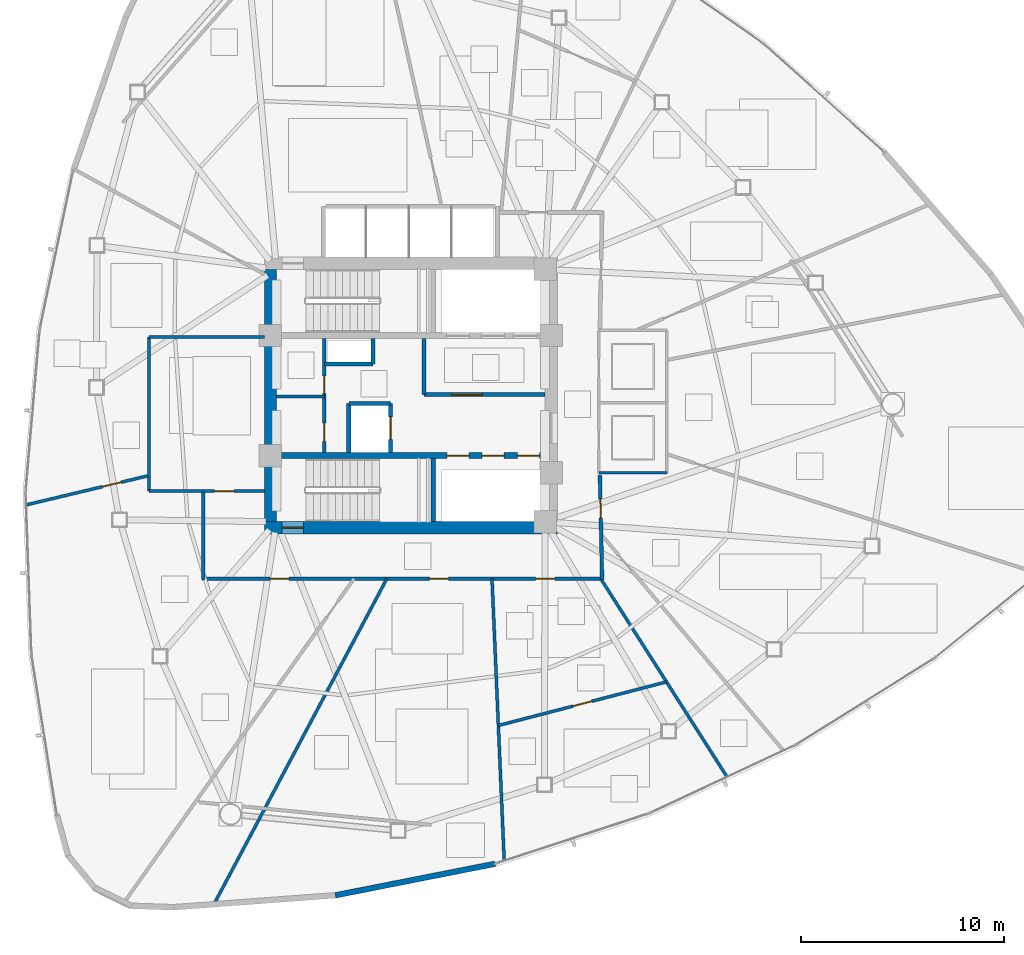
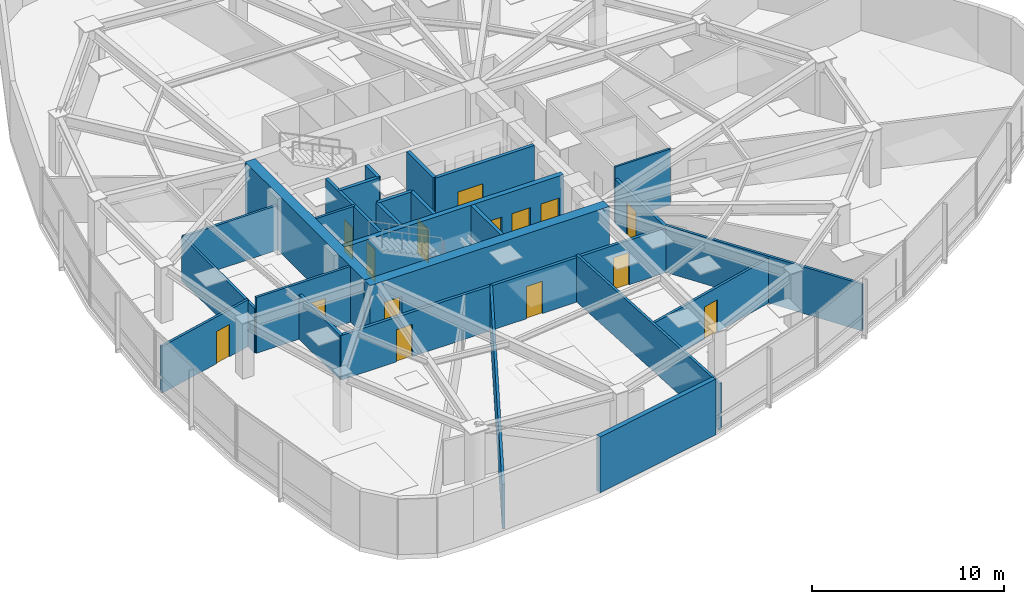
# One storey, part 11 of 17: 26 walls, 15 doors, 15 openings.
"""IFC4 building model written with IfcOpenShell, lengths in metres."""

from ifc_helpers import new_model, si_unit, direction, frame, frame_2d, origin, place, context, subcontext, project, spatial, rectangle, extrude, material, layer, layer_set, type_object, element, fill, save


model = new_model("IFC4")

# Units and contexts
model_context = context("Model", 3, precision=1e-05, world=origin(), true_north=direction((0.0, 1.0)))
body_context = subcontext(model_context, "Body", "Model", "MODEL_VIEW")
ifc_project = project(units=[si_unit("LENGTHUNIT", "METRE"), si_unit("AREAUNIT", "SQUARE_METRE"), si_unit("VOLUMEUNIT", "CUBIC_METRE"), si_unit("PLANEANGLEUNIT", "RADIAN"), si_unit("MASSUNIT", "GRAM", prefix="KILO")], contexts=[model_context])

# Site, building, storey
site_placement = place(None, origin())
site = spatial("IfcSite", under=ifc_project, at=site_placement, CompositionType="ELEMENT")
building_placement = place(site_placement, origin())
building = spatial("IfcBuilding", under=site, at=building_placement, Name="Tavelor Broadcast Tower", CompositionType="ELEMENT")
storey_placement = place(building_placement, frame((0.0, 0.0, 123.300048828125)))
storey = spatial("IfcBuildingStorey", under=building, at=storey_placement, Name="L28", CompositionType="ELEMENT", Elevation=123.300048828125)

# Wall, opening, door
ifc_material_1 = material(Name="Concrete C60/75", Category="concrete")
ifc_layer_1 = layer(ifc_material_1, 0.60009765625)
ifc_layer_set_1 = layer_set([ifc_layer_1], Name="Concrete C60/75")
wall_type_1 = type_object("IfcWallType", Name="Core Shear Wall 600 mm", PredefinedType="SHEAR", material=ifc_layer_set_1)
wall_1_placement = place(storey_placement, frame((42.800048828125, 38.5, 0.0), z_axis=(0.0, 0.0, 1.0), x_axis=(1.0, 0.0, 0.0)))
wall_1 = element("IfcWall", 1, at=wall_1_placement, inside=storey, type_object=wall_type_1, Name="L28 Central Core Shear Wall S", PredefinedType="SHEAR", context=body_context, shape_type="SweptSolid", body=[
    extrude(rectangle(XDim=14.39990234375, YDim=0.60009765625, at=frame_2d((7.199951171875, 0.0))), origin(), (0.0, 0.0, 1.0), 3.550048828125),
])
opening_1_placement = place(wall_1_placement, frame((0.8798828125, 0.0, 0.0)))
opening_1 = element("IfcOpeningElement", 2, at=opening_1_placement, cuts=wall_1, Name="Opening DR11", PredefinedType="OPENING", context=body_context, shape_type="SweptSolid", body=[
    extrude(rectangle(XDim=1.050048828125, YDim=2.199951171875, at=frame_2d((0.52490234375, 1.10009765625))), frame((0.0, 0.31005859375, 0.0), z_axis=(0.0, -1.0, 0.0), x_axis=(1.0, 0.0, 0.0)), (0.0, 0.0, 1.0), 0.6201171875),
])
ifc_material_2 = material(Name="Steel S355", Category="steel")
door_type_1 = type_object("IfcDoorType", Name="Stair Core Fire Escape Door 1050x2200", OperationType="NOTDEFINED", PredefinedType="DOOR", material=ifc_material_2)
door_1_placement = place(opening_1_placement, origin())
door_1 = element("IfcDoor", 3, at=door_1_placement, inside=storey, type_object=door_type_1, Name="L28 Stair ST2 Protected Exit Door", OperationType="SINGLE_SWING_RIGHT", OverallHeight=2.199951171875, OverallWidth=1.050048828125, PredefinedType="DOOR", context=body_context, shape_type="SweptSolid", body=[
    extrude(rectangle(XDim=1.050048828125, YDim=2.199951171875, at=frame_2d((0.52490234375, 1.10009765625))), frame((0.0, 0.02490234375, 0.0), z_axis=(0.0, -1.0, 0.0), x_axis=(1.0, 0.0, 0.0)), (0.0, 0.0, 1.0), 0.050048828125),
])
fill(opening_1, door_1)

# Wall
wall_2_placement = place(storey_placement, frame((43.10009765625, 38.800048828125, 0.0), z_axis=(0.0, 0.0, 1.0), x_axis=(0.0, 1.0, 0.0)))
element("IfcWall", 4, at=wall_2_placement, inside=storey, type_object=wall_type_1, Name="L28 Central Core Shear Wall W", PredefinedType="SHEAR", context=body_context, shape_type="SweptSolid", body=[
    extrude(rectangle(XDim=12.39990234375, YDim=0.60009765625, at=frame_2d((6.199951171875, 0.0))), origin(), (0.0, 0.0, 1.0), 3.550048828125),
])

# Wall, openings, doors
ifc_layer_2 = layer(ifc_material_1, 0.300048828125)
ifc_layer_set_2 = layer_set([ifc_layer_2], Name="Concrete C60/75")
wall_type_2 = type_object("IfcWallType", Name="Core Spine Shear Wall 300 mm C60", PredefinedType="SHEAR", material=ifc_layer_set_2)
wall_3_placement = place(storey_placement, frame((43.39990234375, 42.050048828125, 0.0), z_axis=(0.0, 0.0, 1.0), x_axis=(1.0, 0.0, 0.0)))
wall_3 = element("IfcWall", 5, at=wall_3_placement, inside=storey, type_object=wall_type_2, Name="L28 Central Core Shear Wall SP2", PredefinedType="SHEAR", context=body_context, shape_type="SweptSolid", body=[
    extrude(rectangle(XDim=13.2001953125, YDim=0.300048828125, at=frame_2d((6.60009765625, 0.0))), origin(), (0.0, 0.0, 1.0), 3.550048828125),
])
opening_2_placement = place(wall_3_placement, frame((8.3701171875, 0.0, 0.0)))
opening_2 = element("IfcOpeningElement", 6, at=opening_2_placement, cuts=wall_3, Name="Opening LD01", PredefinedType="OPENING", context=body_context, shape_type="SweptSolid", body=[
    extrude(rectangle(XDim=1.10009765625, YDim=2.14990234375, at=frame_2d((0.550048828125, 1.074951171875))), frame((0.0, 0.16015625, 0.0), z_axis=(0.0, -1.0, 0.0), x_axis=(1.0, 0.0, 0.0)), (0.0, 0.0, 1.0), 0.320068359375),
])
opening_3_placement = place(wall_3_placement, frame((10.090087890625, 0.0, 0.0)))
opening_3 = element("IfcOpeningElement", 7, at=opening_3_placement, cuts=wall_3, Name="Opening LD01", PredefinedType="OPENING", context=body_context, shape_type="SweptSolid", body=[
    extrude(rectangle(XDim=1.10009765625, YDim=2.14990234375, at=frame_2d((0.550048828125, 1.074951171875))), frame((0.0, 0.16015625, 0.0), z_axis=(0.0, -1.0, 0.0), x_axis=(1.0, 0.0, 0.0)), (0.0, 0.0, 1.0), 0.320068359375),
])
opening_4_placement = place(wall_3_placement, frame((11.830078125, 0.0, 0.0)))
opening_4 = element("IfcOpeningElement", 8, at=opening_4_placement, cuts=wall_3, Name="Opening LD01", PredefinedType="OPENING", context=body_context, shape_type="SweptSolid", body=[
    extrude(rectangle(XDim=1.10009765625, YDim=2.14990234375, at=frame_2d((0.550048828125, 1.074951171875))), frame((0.0, 0.16015625, 0.0), z_axis=(0.0, -1.0, 0.0), x_axis=(1.0, 0.0, 0.0)), (0.0, 0.0, 1.0), 0.320068359375),
])
ifc_material_3 = material(Name="Brushed Stainless Steel", Category="steel")
door_type_2 = type_object("IfcDoorType", Name="Passenger Lift Sliding Landing Door 1100x2150", OperationType="NOTDEFINED", PredefinedType="DOOR", material=ifc_material_3)
door_2_placement = place(opening_2_placement, origin())
door_2 = element("IfcDoor", 9, at=door_2_placement, inside=storey, type_object=door_type_2, Name="L28 Lift PLM1 Sliding Landing Door", OperationType="SLIDING_TO_LEFT", OverallHeight=2.14990234375, OverallWidth=1.10009765625, PredefinedType="DOOR", context=body_context, shape_type="SweptSolid", body=[
    extrude(rectangle(XDim=1.10009765625, YDim=2.14990234375, at=frame_2d((0.550048828125, 1.074951171875))), frame((0.0, 0.02490234375, 0.0), z_axis=(0.0, -1.0, 0.0), x_axis=(1.0, 0.0, 0.0)), (0.0, 0.0, 1.0), 0.050048828125),
])
fill(opening_2, door_2)
door_3_placement = place(opening_3_placement, origin())
door_3 = element("IfcDoor", 10, at=door_3_placement, inside=storey, type_object=door_type_2, Name="L28 Lift PLM2 Sliding Landing Door", OperationType="SLIDING_TO_LEFT", OverallHeight=2.14990234375, OverallWidth=1.10009765625, PredefinedType="DOOR", context=body_context, shape_type="SweptSolid", body=[
    extrude(rectangle(XDim=1.10009765625, YDim=2.14990234375, at=frame_2d((0.550048828125, 1.074951171875))), frame((0.0, 0.02490234375, 0.0), z_axis=(0.0, -1.0, 0.0), x_axis=(1.0, 0.0, 0.0)), (0.0, 0.0, 1.0), 0.050048828125),
])
fill(opening_3, door_3)
door_4_placement = place(opening_4_placement, origin())
door_4 = element("IfcDoor", 11, at=door_4_placement, inside=storey, type_object=door_type_2, Name="L28 Lift PLM3 Sliding Landing Door", OperationType="SLIDING_TO_LEFT", OverallHeight=2.14990234375, OverallWidth=1.10009765625, PredefinedType="DOOR", context=body_context, shape_type="SweptSolid", body=[
    extrude(rectangle(XDim=1.10009765625, YDim=2.14990234375, at=frame_2d((0.550048828125, 1.074951171875))), frame((0.0, 0.02490234375, 0.0), z_axis=(0.0, -1.0, 0.0), x_axis=(1.0, 0.0, 0.0)), (0.0, 0.0, 1.0), 0.050048828125),
])
fill(opening_4, door_4)

ifc_material_4 = material(Name="Calcium Silicate Fire Board 180 mm", Category="gypsum")
ifc_layer_3 = layer(ifc_material_4, 0.179931640625)
ifc_layer_set_3 = layer_set([ifc_layer_3], Name="Calcium Silicate Fire Board 180 mm")
wall_type_3 = type_object("IfcWallType", Name="Fire-Rated Corridor Partition Wall 180 mm", PredefinedType="PARTITIONING", material=ifc_layer_set_3)
wall_4_placement = place(storey_placement, frame((45.75, 42.199951171875, 0.0), z_axis=(0.0, 0.0, 1.0), x_axis=(0.0, 1.0, 0.0)))
wall_4 = element("IfcWall", 12, at=wall_4_placement, inside=storey, type_object=wall_type_3, Name="L28 Core West Service East Wall", PredefinedType="PARTITIONING", context=body_context, shape_type="SweptSolid", body=[
    extrude(rectangle(XDim=5.60009765625, YDim=0.179931640625, at=frame_2d((2.800048828125, 0.0))), origin(), (0.0, 0.0, 1.0), 3.550048828125),
])
opening_5_placement = place(wall_4_placement, frame((0.550048828125, 0.0, 0.0)))
opening_5 = element("IfcOpeningElement", 13, at=opening_5_placement, cuts=wall_4, Name="Opening DR32", PredefinedType="OPENING", context=body_context, shape_type="SweptSolid", body=[
    extrude(rectangle(XDim=0.89990234375, YDim=2.050048828125, at=frame_2d((0.449951171875, 1.02490234375))), frame((0.0, 0.10009765625, 0.0), z_axis=(0.0, -1.0, 0.0), x_axis=(1.0, 0.0, 0.0)), (0.0, 0.0, 1.0), 0.199951171875),
])
opening_6_placement = place(wall_4_placement, frame((2.89990234375, 0.0, 0.0)))
opening_6 = element("IfcOpeningElement", 14, at=opening_6_placement, cuts=wall_4, Name="Opening DR36", PredefinedType="OPENING", context=body_context, shape_type="SweptSolid", body=[
    extrude(rectangle(XDim=0.85009765625, YDim=2.050048828125, at=frame_2d((0.425048828125, 1.02490234375))), frame((0.0, 0.10009765625, 0.0), z_axis=(0.0, -1.0, 0.0), x_axis=(1.0, 0.0, 0.0)), (0.0, 0.0, 1.0), 0.199951171875),
])
ifc_material_5 = material(Name="Timber Solid Core Hardwood", Category="wood")
door_type_3 = type_object("IfcDoorType", Name="Accessible Washroom Door 900x2050", OperationType="NOTDEFINED", PredefinedType="DOOR", material=ifc_material_5)
door_5_placement = place(opening_5_placement, origin())
door_5 = element("IfcDoor", 15, at=door_5_placement, inside=storey, type_object=door_type_3, Name="L28 Core Accessible WC Door", OperationType="SINGLE_SWING_LEFT", OverallHeight=2.050048828125, OverallWidth=0.89990234375, PredefinedType="DOOR", context=body_context, shape_type="SweptSolid", body=[
    extrude(rectangle(XDim=0.89990234375, YDim=2.050048828125, at=frame_2d((0.449951171875, 1.02490234375))), frame((0.0, 0.02490234375, 0.0), z_axis=(0.0, -1.0, 0.0), x_axis=(1.0, 0.0, 0.0)), (0.0, 0.0, 1.0), 0.050048828125),
])
fill(opening_5, door_5)
door_type_4 = type_object("IfcDoorType", Name="Service Room Fire Door 850x2050", OperationType="NOTDEFINED", PredefinedType="DOOR", material=ifc_material_2)
door_6_placement = place(opening_6_placement, origin())
door_6 = element("IfcDoor", 16, at=door_6_placement, inside=storey, type_object=door_type_4, Name="L28 Core Cleaner Store Door", OperationType="SINGLE_SWING_RIGHT", OverallHeight=2.050048828125, OverallWidth=0.85009765625, PredefinedType="DOOR", context=body_context, shape_type="SweptSolid", body=[
    extrude(rectangle(XDim=0.85009765625, YDim=2.050048828125, at=frame_2d((0.425048828125, 1.02490234375))), frame((0.0, 0.02490234375, 0.0), z_axis=(0.0, -1.0, 0.0), x_axis=(1.0, 0.0, 0.0)), (0.0, 0.0, 1.0), 0.050048828125),
])
fill(opening_6, door_6)

# Wall, opening, door
wall_5_placement = place(storey_placement, frame((59.291015625, 41.10009765625, 0.0), z_axis=(0.0, 0.0, 1.0), x_axis=(0.021374589398, -0.999771537366, 0.0)))
wall_5 = element("IfcWall", 17, at=wall_5_placement, inside=storey, type_object=wall_type_3, Name="L28 Corridor Compartment Wall 03", PredefinedType="PARTITIONING", context=body_context, shape_type="SweptSolid", body=[
    extrude(rectangle(XDim=5.1513671875, YDim=0.179931640625, at=frame_2d((2.57568359375, 0.0))), origin(), (0.0, 0.0, 1.0), 2.8349609375),
])
opening_7_placement = place(wall_5_placement, frame((1.17529296875, 0.0, 0.0)))
opening_7 = element("IfcOpeningElement", 18, at=opening_7_placement, cuts=wall_5, Name="Opening DR18", PredefinedType="OPENING", context=body_context, shape_type="SweptSolid", body=[
    extrude(rectangle(XDim=0.949951171875, YDim=2.050048828125, at=frame_2d((0.47509765625, 1.02490234375))), frame((0.0, 0.10009765625, 0.0), z_axis=(0.0, -1.0, 0.0), x_axis=(1.0, 0.0, 0.0)), (0.0, 0.0, 1.0), 0.199951171875),
])
door_type_5 = type_object("IfcDoorType", Name="Corridor Rated Compartment Door 950x2050", OperationType="NOTDEFINED", PredefinedType="DOOR", material=ifc_material_5)
door_7_placement = place(opening_7_placement, origin())
door_7 = element("IfcDoor", 19, at=door_7_placement, inside=storey, type_object=door_type_5, Name="L28 International Bureau Office Door R0", OperationType="SINGLE_SWING_RIGHT", OverallHeight=2.050048828125, OverallWidth=0.949951171875, PredefinedType="DOOR", context=body_context, shape_type="SweptSolid", body=[
    extrude(rectangle(XDim=0.949951171875, YDim=2.050048828125, at=frame_2d((0.47509765625, 1.02490234375))), frame((0.0, 0.02490234375, 0.0), z_axis=(0.0, -1.0, 0.0), x_axis=(1.0, 0.0, 0.0)), (0.0, 0.0, 1.0), 0.050048828125),
])
fill(opening_7, door_7)

# Wall, openings, doors
wall_6_placement = place(storey_placement, frame((59.449951171875, 36.0, 0.0), z_axis=(0.0, 0.0, 1.0), x_axis=(-1.0, 0.0, 0.0)))
wall_6 = element("IfcWall", 20, at=wall_6_placement, inside=storey, type_object=wall_type_3, Name="L28 Corridor Compartment Wall 04", PredefinedType="PARTITIONING", context=body_context, shape_type="SweptSolid", body=[
    extrude(rectangle(XDim=19.699951171875, YDim=0.179931640625, at=frame_2d((9.85009765625, 0.0))), origin(), (0.0, 0.0, 1.0), 2.8349609375),
])
opening_8_placement = place(wall_6_placement, frame((2.37109375, 0.0, 0.0)))
opening_8 = element("IfcOpeningElement", 21, at=opening_8_placement, cuts=wall_6, Name="Opening DR18", PredefinedType="OPENING", context=body_context, shape_type="SweptSolid", body=[
    extrude(rectangle(XDim=0.949951171875, YDim=2.050048828125, at=frame_2d((0.47509765625, 1.02490234375))), frame((0.0, 0.10009765625, 0.0), z_axis=(0.0, -1.0, 0.0), x_axis=(1.0, 0.0, 0.0)), (0.0, 0.0, 1.0), 0.199951171875),
])
opening_9_placement = place(wall_6_placement, frame((7.59130859375, 0.0, 0.0)))
opening_9 = element("IfcOpeningElement", 22, at=opening_9_placement, cuts=wall_6, Name="Opening DR18", PredefinedType="OPENING", context=body_context, shape_type="SweptSolid", body=[
    extrude(rectangle(XDim=0.949951171875, YDim=2.050048828125, at=frame_2d((0.47509765625, 1.02490234375))), frame((0.0, 0.10009765625, 0.0), z_axis=(0.0, -1.0, 0.0), x_axis=(1.0, 0.0, 0.0)), (0.0, 0.0, 1.0), 0.199951171875),
])
opening_10_placement = place(wall_6_placement, frame((15.426513671875, 0.0, 0.0)))
opening_10 = element("IfcOpeningElement", 23, at=opening_10_placement, cuts=wall_6, Name="Opening DR18", PredefinedType="OPENING", context=body_context, shape_type="SweptSolid", body=[
    extrude(rectangle(XDim=0.949951171875, YDim=2.050048828125, at=frame_2d((0.47509765625, 1.02490234375))), frame((0.0, 0.10009765625, 0.0), z_axis=(0.0, -1.0, 0.0), x_axis=(1.0, 0.0, 0.0)), (0.0, 0.0, 1.0), 0.199951171875),
])
door_8_placement = place(opening_8_placement, origin())
door_8 = element("IfcDoor", 24, at=door_8_placement, inside=storey, type_object=door_type_5, Name="L28 Sound Foley Studio Door R13", OperationType="SINGLE_SWING_LEFT", OverallHeight=2.050048828125, OverallWidth=0.949951171875, PredefinedType="DOOR", context=body_context, shape_type="SweptSolid", body=[
    extrude(rectangle(XDim=0.949951171875, YDim=2.050048828125, at=frame_2d((0.47509765625, 1.02490234375))), frame((0.0, 0.02490234375, 0.0), z_axis=(0.0, -1.0, 0.0), x_axis=(1.0, 0.0, 0.0)), (0.0, 0.0, 1.0), 0.050048828125),
])
fill(opening_8, door_8)
door_9_placement = place(opening_9_placement, origin())
door_9 = element("IfcDoor", 25, at=door_9_placement, inside=storey, type_object=door_type_5, Name="L28 Broadcast Editorial Office Door R3", OperationType="SINGLE_SWING_RIGHT", OverallHeight=2.050048828125, OverallWidth=0.949951171875, PredefinedType="DOOR", context=body_context, shape_type="SweptSolid", body=[
    extrude(rectangle(XDim=0.949951171875, YDim=2.050048828125, at=frame_2d((0.47509765625, 1.02490234375))), frame((0.0, 0.02490234375, 0.0), z_axis=(0.0, -1.0, 0.0), x_axis=(1.0, 0.0, 0.0)), (0.0, 0.0, 1.0), 0.050048828125),
])
fill(opening_9, door_9)
door_10_placement = place(opening_10_placement, origin())
door_10 = element("IfcDoor", 26, at=door_10_placement, inside=storey, type_object=door_type_5, Name="L28 Syndication Legal Office Door R5", OperationType="SINGLE_SWING_LEFT", OverallHeight=2.050048828125, OverallWidth=0.949951171875, PredefinedType="DOOR", context=body_context, shape_type="SweptSolid", body=[
    extrude(rectangle(XDim=0.949951171875, YDim=2.050048828125, at=frame_2d((0.47509765625, 1.02490234375))), frame((0.0, 0.02490234375, 0.0), z_axis=(0.0, -1.0, 0.0), x_axis=(1.0, 0.0, 0.0)), (0.0, 0.0, 1.0), 0.050048828125),
])
fill(opening_10, door_10)

# Walls
wall_7_placement = place(storey_placement, frame((39.800048828125, 35.949951171875, 0.0), z_axis=(0.0, 0.0, 1.0), x_axis=(0.0, 1.0, 0.0)))
element("IfcWall", 27, at=wall_7_placement, inside=storey, type_object=wall_type_3, Name="L28 Corridor Compartment Wall 05", PredefinedType="PARTITIONING", context=body_context, shape_type="SweptSolid", body=[
    extrude(rectangle(XDim=4.300048828125, YDim=0.179931640625, at=frame_2d((2.14990234375, 0.0))), origin(), (0.0, 0.0, 1.0), 2.8349609375),
])
ifc_material_6 = material(Name="Precast Concrete C40/50", Category="concrete")
ifc_layer_4 = layer(ifc_material_6, 0.280029296875)
ifc_layer_set_4 = layer_set([ifc_layer_4], Name="Precast Concrete C40/50")
wall_type_4 = type_object("IfcWallType", Name="Insulated Precast Terracotta Facade Wall 280 mm", PredefinedType="STANDARD", material=ifc_layer_set_4)
wall_8_placement = place(storey_placement, frame((46.28662109375, 20.436767578125, 0.0), z_axis=(0.0, 0.0, 1.0), x_axis=(0.98104238229, 0.193793302647, 0.0)))
element("IfcWall", 28, at=wall_8_placement, inside=storey, type_object=wall_type_4, Name="L28 Rounded Corner Structural Cladding Pier 16", PredefinedType="STANDARD", context=body_context, shape_type="SweptSolid", body=[
    extrude(rectangle(XDim=8.006103515625, YDim=0.280029296875, at=frame_2d((4.0029296875, 0.0))), origin(), (0.0, 0.0, 1.0), 3.550048828125),
])
ifc_material_7 = material(Name="Gypsum Acoustic Plasterboard 150 mm", Category="gypsum")
ifc_layer_5 = layer(ifc_material_7, 0.14990234375)
ifc_layer_set_5 = layer_set([ifc_layer_5], Name="Gypsum Acoustic Plasterboard 150 mm")
wall_type_5 = type_object("IfcWallType", Name="Interior Acoustic Partition Wall 150 mm", PredefinedType="PARTITIONING", material=ifc_layer_set_5)
wall_9_placement = place(storey_placement, frame((43.39990234375, 44.949951171875, 0.0), z_axis=(0.0, 0.0, 1.0), x_axis=(1.0, 0.0, 0.0)))
element("IfcWall", 29, at=wall_9_placement, inside=storey, type_object=wall_type_5, Name="L28 Core Split Wall A", PredefinedType="PARTITIONING", context=body_context, shape_type="SweptSolid", body=[
    extrude(rectangle(XDim=2.35009765625, YDim=0.14990234375, at=frame_2d((1.175048828125, 0.0))), origin(), (0.0, 0.0, 1.0), 3.550048828125),
])

# Wall, opening, door
wall_10_placement = place(storey_placement, frame((37.139892578125, 40.300048828125, 0.0), z_axis=(0.0, 0.0, 1.0), x_axis=(1.0, 0.0, 0.0)))
wall_10 = element("IfcWall", 30, at=wall_10_placement, inside=storey, type_object=wall_type_5, Name="L28 Reclaimed Shaft Pantry South Wall", PredefinedType="PARTITIONING", context=body_context, shape_type="SweptSolid", body=[
    extrude(rectangle(XDim=5.66015625, YDim=0.14990234375, at=frame_2d((2.830078125, 0.0))), origin(), (0.0, 0.0, 1.0), 3.550048828125),
])
opening_11_placement = place(wall_10_placement, frame((3.2099609375, 0.0, 0.0)))
opening_11 = element("IfcOpeningElement", 31, at=opening_11_placement, cuts=wall_10, Name="Opening DR18", PredefinedType="OPENING", context=body_context, shape_type="SweptSolid", body=[
    extrude(rectangle(XDim=0.949951171875, YDim=2.050048828125, at=frame_2d((0.47509765625, 1.02490234375))), frame((0.0, 0.0849609375, 0.0), z_axis=(0.0, -1.0, 0.0), x_axis=(1.0, 0.0, 0.0)), (0.0, 0.0, 1.0), 0.169921875),
])
door_11_placement = place(opening_11_placement, origin())
door_11 = element("IfcDoor", 32, at=door_11_placement, inside=storey, type_object=door_type_5, Name="L28 Broadcast IT Patch and Pantry Door", OperationType="SINGLE_SWING_LEFT", OverallHeight=2.050048828125, OverallWidth=0.949951171875, PredefinedType="DOOR", context=body_context, shape_type="SweptSolid", body=[
    extrude(rectangle(XDim=0.949951171875, YDim=2.050048828125, at=frame_2d((0.47509765625, 1.02490234375))), frame((0.0, 0.02490234375, 0.0), z_axis=(0.0, -1.0, 0.0), x_axis=(1.0, 0.0, 0.0)), (0.0, 0.0, 1.0), 0.050048828125),
])
fill(opening_11, door_11)

# Walls
wall_11_placement = place(storey_placement, frame((37.139892578125, 40.300048828125, 0.0), z_axis=(0.0, 0.0, 1.0), x_axis=(0.0, 1.0, 0.0)))
element("IfcWall", 33, at=wall_11_placement, inside=storey, type_object=wall_type_5, Name="L28 Reclaimed Shaft Pantry West Wall", PredefinedType="PARTITIONING", context=body_context, shape_type="SweptSolid", body=[
    extrude(rectangle(XDim=7.579833984375, YDim=0.14990234375, at=frame_2d((3.7900390625, 0.0))), origin(), (0.0, 0.0, 1.0), 2.8349609375),
])
wall_12_placement = place(storey_placement, frame((37.139892578125, 47.8798828125, 0.0), z_axis=(0.0, 0.0, 1.0), x_axis=(1.0, 0.0, 0.0)))
element("IfcWall", 34, at=wall_12_placement, inside=storey, type_object=wall_type_5, Name="L28 Reclaimed Shaft Pantry North Wall", PredefinedType="PARTITIONING", context=body_context, shape_type="SweptSolid", body=[
    extrude(rectangle(XDim=5.66015625, YDim=0.14990234375, at=frame_2d((2.830078125, 0.0))), origin(), (0.0, 0.0, 1.0), 2.8349609375),
])
wall_13_placement = place(storey_placement, frame((59.33349609375, 36.0, 0.0), z_axis=(0.0, 0.0, 1.0), x_axis=(0.537303039029, -0.843389260217, 0.0)))
element("IfcWall", 35, at=wall_13_placement, inside=storey, type_object=wall_type_5, Name="L28 Radial Compartment Wall 01", PredefinedType="PARTITIONING", context=body_context, shape_type="SweptSolid", body=[
    extrude(rectangle(XDim=11.56298828125, YDim=0.14990234375, at=frame_2d((5.781494140625, 0.0))), origin(), (0.0, 0.0, 1.0), 2.974853515625),
])

# Wall, opening, door
wall_14_placement = place(storey_placement, frame((37.080078125, 41.055419921875, 0.0), z_axis=(0.0, 0.0, 1.0), x_axis=(-0.972662786209, -0.232222101281, 0.0)))
wall_14 = element("IfcWall", 36, at=wall_14_placement, inside=storey, type_object=wall_type_5, Name="L28 Radial Compartment Wall 10", PredefinedType="PARTITIONING", context=body_context, shape_type="SweptSolid", body=[
    extrude(rectangle(XDim=6.162841796875, YDim=0.14990234375, at=frame_2d((3.08154296875, 0.0))), origin(), (0.0, 0.0, 1.0), 2.974853515625),
])
opening_12_placement = place(wall_14_placement, frame((1.35009765625, 0.0, 0.0)))
opening_12 = element("IfcOpeningElement", 37, at=opening_12_placement, cuts=wall_14, Name="Opening DR18", PredefinedType="OPENING", context=body_context, shape_type="SweptSolid", body=[
    extrude(rectangle(XDim=0.949951171875, YDim=2.050048828125, at=frame_2d((0.47509765625, 1.02490234375))), frame((0.0, 0.0849609375, 0.0), z_axis=(0.0, -1.0, 0.0), x_axis=(1.0, 0.0, 0.0)), (0.0, 0.0, 1.0), 0.169921875),
])
door_12_placement = place(opening_12_placement, origin())
door_12 = element("IfcDoor", 38, at=door_12_placement, inside=storey, type_object=door_type_5, Name="L28 Suite Connecting Door 6", OperationType="SINGLE_SWING_RIGHT", OverallHeight=2.050048828125, OverallWidth=0.949951171875, PredefinedType="DOOR", context=body_context, shape_type="SweptSolid", body=[
    extrude(rectangle(XDim=0.949951171875, YDim=2.050048828125, at=frame_2d((0.47509765625, 1.02490234375))), frame((0.0, 0.02490234375, 0.0), z_axis=(0.0, -1.0, 0.0), x_axis=(1.0, 0.0, 0.0)), (0.0, 0.0, 1.0), 0.050048828125),
])
fill(opening_12, door_12)

# Walls
wall_15_placement = place(storey_placement, frame((48.820556640625, 36.0, 0.0), z_axis=(0.0, 0.0, 1.0), x_axis=(-0.469017710033, -0.883188761067, 0.0)))
element("IfcWall", 39, at=wall_15_placement, inside=storey, type_object=wall_type_5, Name="L28 Radial Compartment Wall 12", PredefinedType="PARTITIONING", context=body_context, shape_type="SweptSolid", body=[
    extrude(rectangle(XDim=18.13037109375, YDim=0.14990234375, at=frame_2d((9.065185546875, 0.0))), origin(), (0.0, 0.0, 1.0), 2.8349609375),
])
wall_16_placement = place(storey_placement, frame((53.989013671875, 36.0, 0.0), z_axis=(0.0, 0.0, 1.0), x_axis=(0.04317403522, -0.999067566625, 0.0)))
element("IfcWall", 40, at=wall_16_placement, inside=storey, type_object=wall_type_5, Name="L28 Radial Compartment Wall 13", PredefinedType="PARTITIONING", context=body_context, shape_type="SweptSolid", body=[
    extrude(rectangle(XDim=13.88818359375, YDim=0.14990234375, at=frame_2d((6.944091796875, 0.0))), origin(), (0.0, 0.0, 1.0), 2.974853515625),
])

# Wall, opening, door
wall_17_placement = place(storey_placement, frame((54.30078125, 28.784912109375, 0.0), z_axis=(0.0, 0.0, 1.0), x_axis=(0.967949279039, 0.25114576088, 0.0)))
wall_17 = element("IfcWall", 41, at=wall_17_placement, inside=storey, type_object=wall_type_5, Name="L28 Suite Chord Partition Wall 01", PredefinedType="PARTITIONING", context=body_context, shape_type="SweptSolid", body=[
    extrude(rectangle(XDim=8.537109375, YDim=0.14990234375, at=frame_2d((4.2685546875, 0.0))), origin(), (0.0, 0.0, 1.0), 2.8349609375),
])
opening_13_placement = place(wall_17_placement, frame((3.79345703125, 0.0, 0.0)))
opening_13 = element("IfcOpeningElement", 42, at=opening_13_placement, cuts=wall_17, Name="Opening DR23", PredefinedType="OPENING", context=body_context, shape_type="SweptSolid", body=[
    extrude(rectangle(XDim=0.949951171875, YDim=2.050048828125, at=frame_2d((0.47509765625, 1.02490234375))), frame((0.0, 0.0849609375, 0.0), z_axis=(0.0, -1.0, 0.0), x_axis=(1.0, 0.0, 0.0)), (0.0, 0.0, 1.0), 0.169921875),
])
door_type_6 = type_object("IfcDoorType", Name="Editorial Room Acoustic Door 950x2050", OperationType="NOTDEFINED", PredefinedType="DOOR", material=ifc_material_5)
door_13_placement = place(opening_13_placement, origin())
door_13 = element("IfcDoor", 43, at=door_13_placement, inside=storey, type_object=door_type_6, Name="L28 Outer Suite Partition Door 1", OperationType="SINGLE_SWING_RIGHT", OverallHeight=2.050048828125, OverallWidth=0.949951171875, PredefinedType="DOOR", context=body_context, shape_type="SweptSolid", body=[
    extrude(rectangle(XDim=0.949951171875, YDim=2.050048828125, at=frame_2d((0.47509765625, 1.02490234375))), frame((0.0, 0.02490234375, 0.0), z_axis=(0.0, -1.0, 0.0), x_axis=(1.0, 0.0, 0.0)), (0.0, 0.0, 1.0), 0.050048828125),
])
fill(opening_13, door_13)

ifc_material_8 = material(Name="Concrete Blockwork 200 mm", Category="masonry")
ifc_layer_6 = layer(ifc_material_8, 0.199951171875)
ifc_layer_set_6 = layer_set([ifc_layer_6], Name="Concrete Blockwork 200 mm")
wall_type_6 = type_object("IfcWallType", Name="Lift Hoistway Rated Front Wall 200 mm", PredefinedType="PARTITIONING", material=ifc_layer_set_6)
wall_18_placement = place(storey_placement, frame((49.0, 42.199951171875, 0.0), z_axis=(0.0, 0.0, 1.0), x_axis=(0.0, 1.0, 0.0)))
wall_18 = element("IfcWall", 44, at=wall_18_placement, inside=storey, type_object=wall_type_6, Name="L28 Mid-Rise Lift PLM4 Hoistway Front Wall", PredefinedType="PARTITIONING", context=body_context, shape_type="SweptSolid", body=[
    extrude(rectangle(XDim=2.400146484375, YDim=0.199951171875, at=frame_2d((1.2001953125, 0.0))), origin(), (0.0, 0.0, 1.0), 3.550048828125),
])
opening_14_placement = place(wall_18_placement, frame((0.64990234375, 0.0, 0.0)))
opening_14 = element("IfcOpeningElement", 45, at=opening_14_placement, cuts=wall_18, Name="Opening LD01", PredefinedType="OPENING", context=body_context, shape_type="SweptSolid", body=[
    extrude(rectangle(XDim=1.10009765625, YDim=2.14990234375, at=frame_2d((0.550048828125, 1.074951171875))), frame((0.0, 0.10986328125, 0.0), z_axis=(0.0, -1.0, 0.0), x_axis=(1.0, 0.0, 0.0)), (0.0, 0.0, 1.0), 0.219970703125),
])
door_14_placement = place(opening_14_placement, origin())
door_14 = element("IfcDoor", 46, at=door_14_placement, inside=storey, type_object=door_type_2, Name="L28 Lift PLM4 Sliding Landing Door", OperationType="SLIDING_TO_RIGHT", OverallHeight=2.14990234375, OverallWidth=1.10009765625, PredefinedType="DOOR", context=body_context, shape_type="SweptSolid", body=[
    extrude(rectangle(XDim=1.10009765625, YDim=2.14990234375, at=frame_2d((0.550048828125, 1.074951171875))), frame((0.0, 0.02490234375, 0.0), z_axis=(0.0, -1.0, 0.0), x_axis=(1.0, 0.0, 0.0)), (0.0, 0.0, 1.0), 0.050048828125),
])
fill(opening_14, door_14)

# Walls
ifc_layer_7 = layer(ifc_material_8, 0.199951171875)
ifc_layer_set_7 = layer_set([ifc_layer_7], Name="Concrete Blockwork 200 mm")
wall_type_7 = type_object("IfcWallType", Name="Lift and Riser Shaft Enclosure Wall 200 mm", PredefinedType="PARTITIONING", material=ifc_layer_set_7)
wall_19_placement = place(storey_placement, frame((45.75, 46.550048828125, 0.0), z_axis=(0.0, 0.0, 1.0), x_axis=(1.0, 0.0, 0.0)))
element("IfcWall", 47, at=wall_19_placement, inside=storey, type_object=wall_type_7, Name="L28 Riser Shaft South Wall", PredefinedType="PARTITIONING", context=body_context, shape_type="SweptSolid", body=[
    extrude(rectangle(XDim=2.39990234375, YDim=0.199951171875, at=frame_2d((1.199951171875, 0.0))), origin(), (0.0, 0.0, 1.0), 3.550048828125),
])
wall_20_placement = place(storey_placement, frame((48.14990234375, 46.550048828125, 0.0), z_axis=(0.0, 0.0, 1.0), x_axis=(0.0, 1.0, 0.0)))
element("IfcWall", 48, at=wall_20_placement, inside=storey, type_object=wall_type_7, Name="L28 Riser Shaft East Wall", PredefinedType="PARTITIONING", context=body_context, shape_type="SweptSolid", body=[
    extrude(rectangle(XDim=1.25, YDim=0.199951171875, at=frame_2d((0.625, 0.0))), origin(), (0.0, 0.0, 1.0), 3.550048828125),
])
wall_21_placement = place(storey_placement, frame((46.949951171875, 42.199951171875, 0.0), z_axis=(0.0, 0.0, 1.0), x_axis=(0.0, 1.0, 0.0)))
element("IfcWall", 49, at=wall_21_placement, inside=storey, type_object=wall_type_7, Name="L28 Mid-Rise Lift PLM4 West Wall", PredefinedType="PARTITIONING", context=body_context, shape_type="SweptSolid", body=[
    extrude(rectangle(XDim=2.400146484375, YDim=0.199951171875, at=frame_2d((1.2001953125, 0.0))), origin(), (0.0, 0.0, 1.0), 3.550048828125),
])
wall_22_placement = place(storey_placement, frame((46.949951171875, 44.60009765625, 0.0), z_axis=(0.0, 0.0, 1.0), x_axis=(1.0, 0.0, 0.0)))
element("IfcWall", 50, at=wall_22_placement, inside=storey, type_object=wall_type_7, Name="L28 Mid-Rise Lift PLM4 North Wall", PredefinedType="PARTITIONING", context=body_context, shape_type="SweptSolid", body=[
    extrude(rectangle(XDim=2.050048828125, YDim=0.199951171875, at=frame_2d((1.02490234375, 0.0))), origin(), (0.0, 0.0, 1.0), 3.550048828125),
])

# Wall, opening, door
wall_23_placement = place(storey_placement, frame((50.64990234375, 45.050048828125, 0.0), z_axis=(0.0, 0.0, 1.0), x_axis=(1.0, 0.0, 0.0)))
wall_23 = element("IfcWall", 51, at=wall_23_placement, inside=storey, type_object=wall_type_7, Name="L28 Firefighting Lobby South Wall", PredefinedType="PARTITIONING", context=body_context, shape_type="SweptSolid", body=[
    extrude(rectangle(XDim=5.9501953125, YDim=0.199951171875, at=frame_2d((2.97509765625, 0.0))), origin(), (0.0, 0.0, 1.0), 3.550048828125),
])
opening_15_placement = place(wall_23_placement, frame((1.35009765625, 0.0, 0.0)))
opening_15 = element("IfcOpeningElement", 52, at=opening_15_placement, cuts=wall_23, Name="Opening DR14", PredefinedType="OPENING", context=body_context, shape_type="SweptSolid", body=[
    extrude(rectangle(XDim=1.5, YDim=2.199951171875, at=frame_2d((0.75, 1.10009765625))), frame((0.0, 0.10986328125, 0.0), z_axis=(0.0, -1.0, 0.0), x_axis=(1.0, 0.0, 0.0)), (0.0, 0.0, 1.0), 0.219970703125),
])
door_type_7 = type_object("IfcDoorType", Name="Firefighting Lobby Double Fire Door 1500x2200", OperationType="NOTDEFINED", PredefinedType="DOOR", material=ifc_material_2)
door_15_placement = place(opening_15_placement, origin())
door_15 = element("IfcDoor", 53, at=door_15_placement, inside=storey, type_object=door_type_7, Name="L28 Firefighting Lobby Compartment Door", OperationType="SINGLE_SWING_LEFT", OverallHeight=2.199951171875, OverallWidth=1.5, PredefinedType="DOOR", context=body_context, shape_type="SweptSolid", body=[
    extrude(rectangle(XDim=1.5, YDim=2.199951171875, at=frame_2d((0.75, 1.10009765625))), frame((0.0, 0.02490234375, 0.0), z_axis=(0.0, -1.0, 0.0), x_axis=(1.0, 0.0, 0.0)), (0.0, 0.0, 1.0), 0.050048828125),
])
fill(opening_15, door_15)

# Walls
wall_24_placement = place(storey_placement, frame((50.64990234375, 45.050048828125, 0.0), z_axis=(0.0, 0.0, 1.0), x_axis=(0.0, 1.0, 0.0)))
element("IfcWall", 54, at=wall_24_placement, inside=storey, type_object=wall_type_7, Name="L28 Firefighting Lobby West Wall", PredefinedType="PARTITIONING", context=body_context, shape_type="SweptSolid", body=[
    extrude(rectangle(XDim=2.75, YDim=0.199951171875, at=frame_2d((1.375, 0.0))), origin(), (0.0, 0.0, 1.0), 3.550048828125),
])
ifc_material_9 = material(Name="Moisture-Resistant Plasterboard 120 mm", Category="gypsum")
ifc_layer_8 = layer(ifc_material_9, 0.1201171875)
ifc_layer_set_8 = layer_set([ifc_layer_8], Name="Moisture-Resistant Plasterboard 120 mm")
wall_type_8 = type_object("IfcWallType", Name="Moisture-Resistant Wet-Room Partition 120 mm", PredefinedType="PARTITIONING", material=ifc_layer_set_8)
wall_25_placement = place(storey_placement, frame((59.239990234375, 41.199951171875, 0.0), z_axis=(0.0, 0.0, 1.0), x_axis=(1.0, 0.0, 0.0)))
element("IfcWall", 55, at=wall_25_placement, inside=storey, type_object=wall_type_8, Name="L28 Floor Washrooms South Wall", PredefinedType="PARTITIONING", context=body_context, shape_type="SweptSolid", body=[
    extrude(rectangle(XDim=3.340087890625, YDim=0.1201171875, at=frame_2d((1.669921875, 0.0))), origin(), (0.0, 0.0, 1.0), 3.550048828125),
])
ifc_material_10 = material(Name="Concrete C40/50", Category="concrete")
ifc_layer_9 = layer(ifc_material_10, 0.219970703125)
ifc_layer_set_9 = layer_set([ifc_layer_9], Name="Concrete C40/50")
wall_type_9 = type_object("IfcWallType", Name="Structural Stairwell Shear Wall 220 mm", PredefinedType="SHEAR", material=ifc_layer_set_9)
wall_26_placement = place(storey_placement, frame((51.110107421875, 38.800048828125, 0.0), z_axis=(0.0, 0.0, 1.0), x_axis=(0.0, 1.0, 0.0)))
element("IfcWall", 56, at=wall_26_placement, inside=storey, type_object=wall_type_9, Name="L28 Stair ST2 Structural Shaft Wall", PredefinedType="SHEAR", context=body_context, shape_type="SweptSolid", body=[
    extrude(rectangle(XDim=3.099853515625, YDim=0.219970703125, at=frame_2d((1.5498046875, 0.0))), origin(), (0.0, 0.0, 1.0), 3.550048828125),
])

save(model, "model.ifc")
